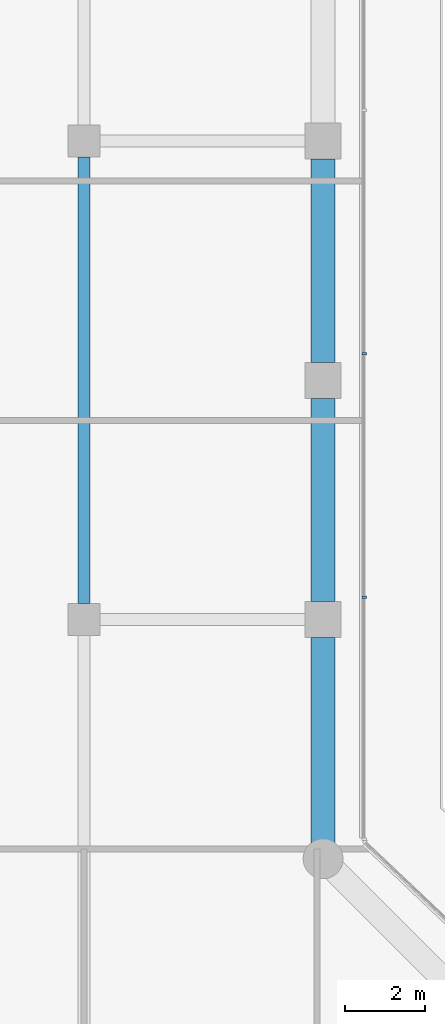
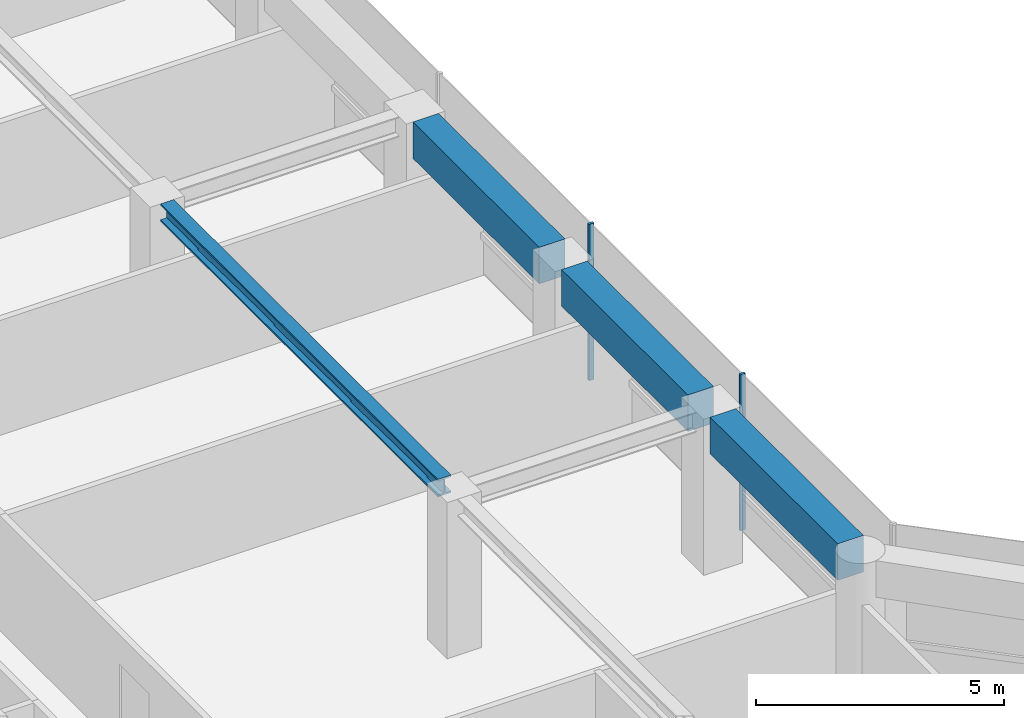
# One storey, part 12 of 23: 4 beams, 2 members, 1 element without a shape of its own.
"""IFC4 building model written with IfcOpenShell, lengths in metres."""

from ifc_helpers import new_model, si_unit, direction, frame, origin, origin_2d, place, context, subcontext, project, spatial, rectangle, i_section, extrude, material, layer, layer_set, material_profile, profile_set, type_object, element, aggregate, save


model = new_model("IFC4")

# Units and contexts
model_context = context("Model", 3, precision=1e-05, world=origin(), true_north=direction((0.0, 1.0)))
body_context = subcontext(model_context, "Body", "Model", "MODEL_VIEW")
ifc_project = project(units=[si_unit("LENGTHUNIT", "METRE"), si_unit("AREAUNIT", "SQUARE_METRE"), si_unit("VOLUMEUNIT", "CUBIC_METRE"), si_unit("PLANEANGLEUNIT", "RADIAN"), si_unit("MASSUNIT", "GRAM", prefix="KILO")], contexts=[model_context])

# Site, building, storey
site_placement = place(None, origin())
site = spatial("IfcSite", under=ifc_project, at=site_placement, CompositionType="ELEMENT")
building_placement = place(site_placement, origin())
building = spatial("IfcBuilding", under=site, at=building_placement, Name="Welwitschia Terrace Campus", CompositionType="ELEMENT")
storey_placement = place(building_placement, frame((0.0, 0.0, 104.60009765625)))
storey = spatial("IfcBuildingStorey", under=building, at=storey_placement, Name="L23", CompositionType="ELEMENT", Elevation=104.60009765625)

# Beam
ifc_material_1 = material(Name="Steel S355", Category="steel")
ifc_material_profile_1 = material_profile(ifc_material_1, i_section(OverallWidth=0.306884765625, OverallDepth=0.431884765625, WebThickness=0.02099609375, FlangeThickness=0.0400390625, FilletRadius=0.027099609375, at=origin_2d()))
ifc_profile_set_1 = profile_set([ifc_material_profile_1], Name="Steel S355")
beam_type_1 = type_object("IfcBeamType", Name="Interior girder HE 400 M", PredefinedType="BEAM", material=ifc_profile_set_1)
beam_1_placement = place(storey_placement, frame((18.0, 40.400390625, 3.6337890625), z_axis=(0.0, 1.0, 0.0), x_axis=(-1.0, 0.0, 0.0)))
element("IfcBeam", 1, at=beam_1_placement, inside=storey, type_object=beam_type_1, Name="Girder GB3", PredefinedType="BEAM", context=body_context, shape_type="SweptSolid", body=[
    extrude(i_section(OverallWidth=0.306884765625, OverallDepth=0.431884765625, WebThickness=0.02099609375, FlangeThickness=0.0400390625, FilletRadius=0.027099609375, at=origin_2d()), origin(), (0.0, 0.0, 1.0), 11.19921875),
])

# Curtain wall, members
ifc_material_2 = material(Name="Bronze anodised aluminium", Category="aluminium")
ifc_layer = layer(ifc_material_2, 0.1201171875)
ifc_layer_set = layer_set([ifc_layer], Name="Bronze anodised aluminium")
curtain_wall_type = type_object("IfcCurtainWallType", Name="Curtain wall CW2 tower 6000", PredefinedType="NOTDEFINED", material=ifc_layer_set)
curtain_wall_placement = place(storey_placement, origin())
curtain_wall = element("IfcCurtainWall", 2, at=curtain_wall_placement, inside=storey, type_object=curtain_wall_type, Name="CW L23.9.0", PredefinedType="NOTDEFINED")
ifc_material_3 = material(Name="Bronze anodised aluminium", Category="aluminium")
ifc_material_profile_2 = material_profile(ifc_material_3, rectangle(XDim=0.1201171875, YDim=0.06005859375, at=origin_2d()))
ifc_profile_set_2 = profile_set([ifc_material_profile_2], Name="Bronze anodised aluminium")
member_type = type_object("IfcMemberType", Name="Mullion 60x120", PredefinedType="MULLION", material=ifc_profile_set_2)
member_1_placement = place(storey_placement, frame((25.030029296875, 40.564208984375, 0.0), z_axis=(0.0, 0.0, 1.0), x_axis=(-1.0, 0.0, 0.0)))
member_1 = element("IfcMember", 3, at=member_1_placement, type_object=member_type, Name="Mullion L23.9.0.1", PredefinedType="MULLION", context=body_context, shape_type="SweptSolid", body=[
    extrude(rectangle(XDim=0.1201171875, YDim=0.06005859375, at=origin_2d()), origin(), (0.0, 0.0, 1.0), 3.849853515625),
])
member_2_placement = place(storey_placement, frame((25.030029296875, 46.672119140625, 0.0), z_axis=(0.0, 0.0, 1.0), x_axis=(-1.0, 0.0, 0.0)))
member_2 = element("IfcMember", 4, at=member_2_placement, type_object=member_type, Name="Mullion L23.9.0.2", PredefinedType="MULLION", context=body_context, shape_type="SweptSolid", body=[
    extrude(rectangle(XDim=0.1201171875, YDim=0.06005859375, at=origin_2d()), origin(), (0.0, 0.0, 1.0), 3.849853515625),
])
aggregate(curtain_wall, [member_1, member_2])

# Beams
ifc_material_4 = material(Name="Concrete C60/75", Category="concrete")
ifc_material_profile_3 = material_profile(ifc_material_4, rectangle(XDim=0.60009765625, YDim=0.89990234375, at=origin_2d()))
ifc_profile_set_3 = profile_set([ifc_material_profile_3], Name="Concrete C60/75")
beam_type_2 = type_object("IfcBeamType", Name="Ring spandrel 600x900", PredefinedType="SPANDREL", material=ifc_profile_set_3)
beam_2_placement = place(storey_placement, frame((24.0, 34.400390625, 3.39990234375), z_axis=(0.0, 1.0, 0.0), x_axis=(-1.0, 0.0, 0.0)))
element("IfcBeam", 5, at=beam_2_placement, inside=storey, type_object=beam_type_2, Name="Spandrel SP2", PredefinedType="SPANDREL", context=body_context, shape_type="SweptSolid", body=[
    extrude(rectangle(XDim=0.60009765625, YDim=0.89990234375, at=origin_2d()), origin(), (0.0, 0.0, 1.0), 5.149169921875),
])
for number, where, z_axis, x_axis, name in (
    (6, (24.0, 40.450439453125, 3.39990234375), (0.0, 1.0, 0.0), (-1.0, 0.0, 0.0), "Spandrel SP2"),
    (7, (24.0, 46.450439453125, 3.39990234375), (0.0, 1.0, 0.0), (-1.0, 0.0, 0.0), "Spandrel SP2"),
):
    element("IfcBeam", number, at=place(storey_placement, frame(where, z_axis=z_axis, x_axis=x_axis)), inside=storey, type_object=beam_type_2, Name=name, PredefinedType="SPANDREL", context=body_context, shape_type="SweptSolid", body=[
        extrude(rectangle(XDim=0.60009765625, YDim=0.89990234375, at=origin_2d()), origin(), (0.0, 0.0, 1.0), 5.09912109375),
    ])

save(model, "model.ifc")
